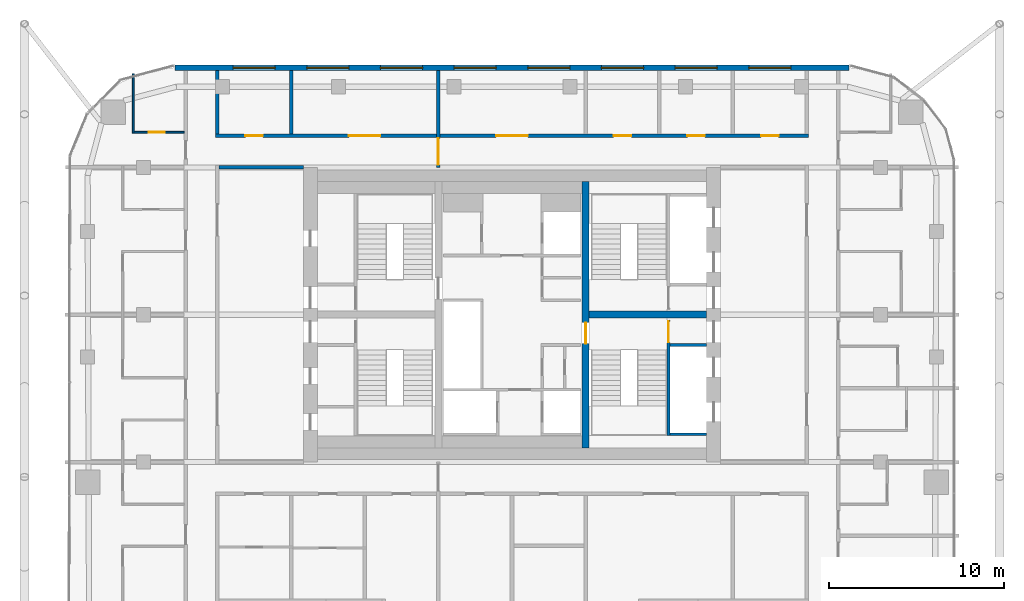
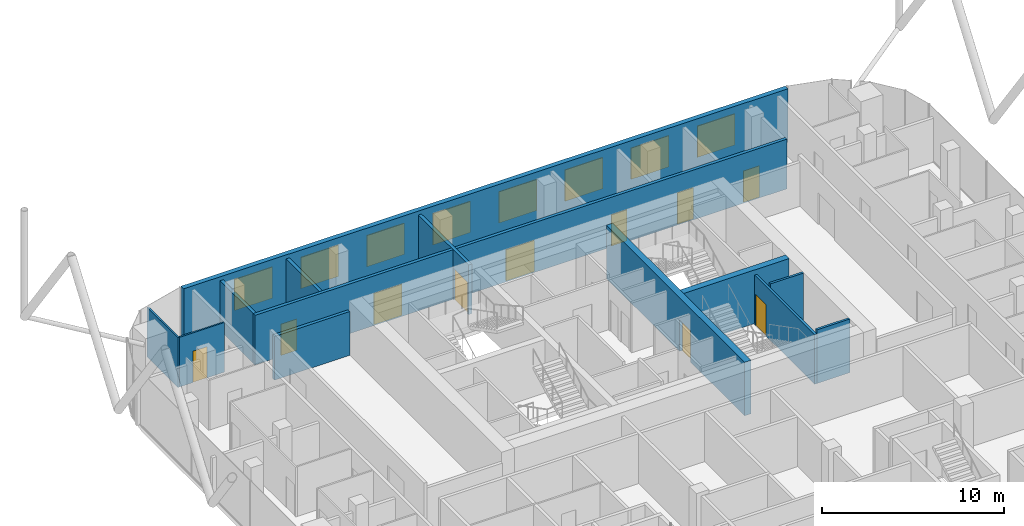
# One storey, part 25 of 28: 13 walls, 10 doors, 8 windows, 18 openings.
"""IFC4 building model written with IfcOpenShell, lengths in metres."""

from ifc_helpers import new_model, si_unit, direction, frame, frame_2d, origin, place, context, subcontext, project, spatial, rectangle, extrude, material, layer, layer_set, type_object, element, fill, save


model = new_model("IFC4")

# Units and contexts
model_context = context("Model", 3, precision=1e-05, world=origin(), true_north=direction((0.0, 1.0)))
body_context = subcontext(model_context, "Body", "Model", "MODEL_VIEW")
ifc_project = project(units=[si_unit("LENGTHUNIT", "METRE"), si_unit("AREAUNIT", "SQUARE_METRE"), si_unit("VOLUMEUNIT", "CUBIC_METRE"), si_unit("PLANEANGLEUNIT", "RADIAN"), si_unit("MASSUNIT", "GRAM", prefix="KILO")], contexts=[model_context])

# Site, building, storey
site_placement = place(None, origin())
site = spatial("IfcSite", under=ifc_project, at=site_placement, CompositionType="ELEMENT")
building_placement = place(site_placement, origin())
building = spatial("IfcBuilding", under=site, at=building_placement, Name="Marenta Gate Hotel Tower", CompositionType="ELEMENT")
storey_placement = place(building_placement, frame((0.0, 0.0, 241.699951171875)))
storey = spatial("IfcBuildingStorey", under=building, at=storey_placement, Name="L57", CompositionType="ELEMENT", Elevation=241.699951171875)

# Wall, openings, windows
ifc_material_1 = material(Name="Concrete C40 board-marked", Category="concrete")
ifc_layer_1 = layer(ifc_material_1, 0.300048828125)
ifc_layer_set_1 = layer_set([ifc_layer_1], Name="Concrete C40 board-marked")
wall_type_1 = type_object("IfcWallType", Name="Board-marked concrete wall 300 mm", PredefinedType="NOTDEFINED", material=ifc_layer_set_1)
wall_1_placement = place(storey_placement, frame((19.205810546875, 22.489990234375, 0.0), z_axis=(0.0, 0.0, 1.0), x_axis=(-1.0, 0.0, 0.0)))
wall_1 = element("IfcWall", 1, at=wall_1_placement, inside=storey, type_object=wall_type_1, Name="L57-CLD-N00", PredefinedType="NOTDEFINED", context=body_context, shape_type="SweptSolid", body=[
    extrude(rectangle(XDim=38.41162109375, YDim=0.300048828125, at=frame_2d((19.205810546875, 0.0))), origin(), (0.0, 0.0, 1.0), 3.60009765625),
])
opening_1_placement = place(wall_1_placement, frame((3.305908203125, 0.0, 0.89990234375)))
opening_1 = element("IfcOpeningElement", 2, at=opening_1_placement, cuts=wall_1, Name="Opening W1", PredefinedType="OPENING", context=body_context, shape_type="SweptSolid", body=[
    extrude(rectangle(XDim=2.39990234375, YDim=2.10009765625, at=frame_2d((1.199951171875, 1.050048828125))), frame((0.0, 0.14990234375, 0.0), z_axis=(0.0, -1.0, 0.0), x_axis=(1.0, 0.0, 0.0)), (0.0, 0.0, 1.0), 0.300048828125),
])
opening_2_placement = place(wall_1_placement, frame((7.505859375, 0.0, 0.89990234375)))
opening_2 = element("IfcOpeningElement", 3, at=opening_2_placement, cuts=wall_1, Name="Opening W1", PredefinedType="OPENING", context=body_context, shape_type="SweptSolid", body=[
    extrude(rectangle(XDim=2.39990234375, YDim=2.10009765625, at=frame_2d((1.199951171875, 1.050048828125))), frame((0.0, 0.14990234375, 0.0), z_axis=(0.0, -1.0, 0.0), x_axis=(1.0, 0.0, 0.0)), (0.0, 0.0, 1.0), 0.300048828125),
])
opening_3_placement = place(wall_1_placement, frame((11.705810546875, 0.0, 0.89990234375)))
opening_3 = element("IfcOpeningElement", 4, at=opening_3_placement, cuts=wall_1, Name="Opening W1", PredefinedType="OPENING", context=body_context, shape_type="SweptSolid", body=[
    extrude(rectangle(XDim=2.39990234375, YDim=2.10009765625, at=frame_2d((1.199951171875, 1.050048828125))), frame((0.0, 0.14990234375, 0.0), z_axis=(0.0, -1.0, 0.0), x_axis=(1.0, 0.0, 0.0)), (0.0, 0.0, 1.0), 0.300048828125),
])
opening_4_placement = place(wall_1_placement, frame((15.906005859375, 0.0, 0.89990234375)))
opening_4 = element("IfcOpeningElement", 5, at=opening_4_placement, cuts=wall_1, Name="Opening W1", PredefinedType="OPENING", context=body_context, shape_type="SweptSolid", body=[
    extrude(rectangle(XDim=2.39990234375, YDim=2.10009765625, at=frame_2d((1.199951171875, 1.050048828125))), frame((0.0, 0.14990234375, 0.0), z_axis=(0.0, -1.0, 0.0), x_axis=(1.0, 0.0, 0.0)), (0.0, 0.0, 1.0), 0.300048828125),
])
opening_5_placement = place(wall_1_placement, frame((20.10595703125, 0.0, 0.89990234375)))
opening_5 = element("IfcOpeningElement", 6, at=opening_5_placement, cuts=wall_1, Name="Opening W1", PredefinedType="OPENING", context=body_context, shape_type="SweptSolid", body=[
    extrude(rectangle(XDim=2.39990234375, YDim=2.10009765625, at=frame_2d((1.199951171875, 1.050048828125))), frame((0.0, 0.14990234375, 0.0), z_axis=(0.0, -1.0, 0.0), x_axis=(1.0, 0.0, 0.0)), (0.0, 0.0, 1.0), 0.300048828125),
])
opening_6_placement = place(wall_1_placement, frame((24.305908203125, 0.0, 0.89990234375)))
opening_6 = element("IfcOpeningElement", 7, at=opening_6_placement, cuts=wall_1, Name="Opening W1", PredefinedType="OPENING", context=body_context, shape_type="SweptSolid", body=[
    extrude(rectangle(XDim=2.39990234375, YDim=2.10009765625, at=frame_2d((1.199951171875, 1.050048828125))), frame((0.0, 0.14990234375, 0.0), z_axis=(0.0, -1.0, 0.0), x_axis=(1.0, 0.0, 0.0)), (0.0, 0.0, 1.0), 0.300048828125),
])
opening_7_placement = place(wall_1_placement, frame((28.505859375, 0.0, 0.89990234375)))
opening_7 = element("IfcOpeningElement", 8, at=opening_7_placement, cuts=wall_1, Name="Opening W1", PredefinedType="OPENING", context=body_context, shape_type="SweptSolid", body=[
    extrude(rectangle(XDim=2.39990234375, YDim=2.10009765625, at=frame_2d((1.199951171875, 1.050048828125))), frame((0.0, 0.14990234375, 0.0), z_axis=(0.0, -1.0, 0.0), x_axis=(1.0, 0.0, 0.0)), (0.0, 0.0, 1.0), 0.300048828125),
])
opening_8_placement = place(wall_1_placement, frame((32.705810546875, 0.0, 0.89990234375)))
opening_8 = element("IfcOpeningElement", 9, at=opening_8_placement, cuts=wall_1, Name="Opening W1", PredefinedType="OPENING", context=body_context, shape_type="SweptSolid", body=[
    extrude(rectangle(XDim=2.39990234375, YDim=2.10009765625, at=frame_2d((1.199951171875, 1.050048828125))), frame((0.0, 0.14990234375, 0.0), z_axis=(0.0, -1.0, 0.0), x_axis=(1.0, 0.0, 0.0)), (0.0, 0.0, 1.0), 0.300048828125),
])
ifc_material_2 = material(Name="Tinted insulated glass in bronze anodised frame", Category="glass")
window_type = type_object("IfcWindowType", Name="Window W1 2400x2100 bronze frame", PartitioningType="SINGLE_PANEL", PredefinedType="WINDOW", material=ifc_material_2)
window_1_placement = place(opening_1_placement, origin())
window_1 = element("IfcWindow", 10, at=window_1_placement, inside=storey, type_object=window_type, Name="Window W1", OverallHeight=2.10009765625, OverallWidth=2.39990234375, PartitioningType="SINGLE_PANEL", PredefinedType="WINDOW", context=body_context, shape_type="SweptSolid", body=[
    extrude(rectangle(XDim=2.39990234375, YDim=2.10009765625, at=frame_2d((1.199951171875, 1.050048828125))), frame((0.0, 0.030029296875, 0.0), z_axis=(0.0, -1.0, 0.0), x_axis=(1.0, 0.0, 0.0)), (0.0, 0.0, 1.0), 0.06005859375),
])
fill(opening_1, window_1)
window_2_placement = place(opening_2_placement, origin())
window_2 = element("IfcWindow", 11, at=window_2_placement, inside=storey, type_object=window_type, Name="Window W1", OverallHeight=2.10009765625, OverallWidth=2.39990234375, PartitioningType="SINGLE_PANEL", PredefinedType="WINDOW", context=body_context, shape_type="SweptSolid", body=[
    extrude(rectangle(XDim=2.39990234375, YDim=2.10009765625, at=frame_2d((1.199951171875, 1.050048828125))), frame((0.0, 0.030029296875, 0.0), z_axis=(0.0, -1.0, 0.0), x_axis=(1.0, 0.0, 0.0)), (0.0, 0.0, 1.0), 0.06005859375),
])
fill(opening_2, window_2)
window_3_placement = place(opening_3_placement, origin())
window_3 = element("IfcWindow", 12, at=window_3_placement, inside=storey, type_object=window_type, Name="Window W1", OverallHeight=2.10009765625, OverallWidth=2.39990234375, PartitioningType="SINGLE_PANEL", PredefinedType="WINDOW", context=body_context, shape_type="SweptSolid", body=[
    extrude(rectangle(XDim=2.39990234375, YDim=2.10009765625, at=frame_2d((1.199951171875, 1.050048828125))), frame((0.0, 0.030029296875, 0.0), z_axis=(0.0, -1.0, 0.0), x_axis=(1.0, 0.0, 0.0)), (0.0, 0.0, 1.0), 0.06005859375),
])
fill(opening_3, window_3)
window_4_placement = place(opening_4_placement, origin())
window_4 = element("IfcWindow", 13, at=window_4_placement, inside=storey, type_object=window_type, Name="Window W1", OverallHeight=2.10009765625, OverallWidth=2.39990234375, PartitioningType="SINGLE_PANEL", PredefinedType="WINDOW", context=body_context, shape_type="SweptSolid", body=[
    extrude(rectangle(XDim=2.39990234375, YDim=2.10009765625, at=frame_2d((1.199951171875, 1.050048828125))), frame((0.0, 0.030029296875, 0.0), z_axis=(0.0, -1.0, 0.0), x_axis=(1.0, 0.0, 0.0)), (0.0, 0.0, 1.0), 0.06005859375),
])
fill(opening_4, window_4)
window_5_placement = place(opening_5_placement, origin())
window_5 = element("IfcWindow", 14, at=window_5_placement, inside=storey, type_object=window_type, Name="Window W1", OverallHeight=2.10009765625, OverallWidth=2.39990234375, PartitioningType="SINGLE_PANEL", PredefinedType="WINDOW", context=body_context, shape_type="SweptSolid", body=[
    extrude(rectangle(XDim=2.39990234375, YDim=2.10009765625, at=frame_2d((1.199951171875, 1.050048828125))), frame((0.0, 0.030029296875, 0.0), z_axis=(0.0, -1.0, 0.0), x_axis=(1.0, 0.0, 0.0)), (0.0, 0.0, 1.0), 0.06005859375),
])
fill(opening_5, window_5)
window_6_placement = place(opening_6_placement, origin())
window_6 = element("IfcWindow", 15, at=window_6_placement, inside=storey, type_object=window_type, Name="Window W1", OverallHeight=2.10009765625, OverallWidth=2.39990234375, PartitioningType="SINGLE_PANEL", PredefinedType="WINDOW", context=body_context, shape_type="SweptSolid", body=[
    extrude(rectangle(XDim=2.39990234375, YDim=2.10009765625, at=frame_2d((1.199951171875, 1.050048828125))), frame((0.0, 0.030029296875, 0.0), z_axis=(0.0, -1.0, 0.0), x_axis=(1.0, 0.0, 0.0)), (0.0, 0.0, 1.0), 0.06005859375),
])
fill(opening_6, window_6)
window_7_placement = place(opening_7_placement, origin())
window_7 = element("IfcWindow", 16, at=window_7_placement, inside=storey, type_object=window_type, Name="Window W1", OverallHeight=2.10009765625, OverallWidth=2.39990234375, PartitioningType="SINGLE_PANEL", PredefinedType="WINDOW", context=body_context, shape_type="SweptSolid", body=[
    extrude(rectangle(XDim=2.39990234375, YDim=2.10009765625, at=frame_2d((1.199951171875, 1.050048828125))), frame((0.0, 0.030029296875, 0.0), z_axis=(0.0, -1.0, 0.0), x_axis=(1.0, 0.0, 0.0)), (0.0, 0.0, 1.0), 0.06005859375),
])
fill(opening_7, window_7)
window_8_placement = place(opening_8_placement, origin())
window_8 = element("IfcWindow", 17, at=window_8_placement, inside=storey, type_object=window_type, Name="Window W1", OverallHeight=2.10009765625, OverallWidth=2.39990234375, PartitioningType="SINGLE_PANEL", PredefinedType="WINDOW", context=body_context, shape_type="SweptSolid", body=[
    extrude(rectangle(XDim=2.39990234375, YDim=2.10009765625, at=frame_2d((1.199951171875, 1.050048828125))), frame((0.0, 0.030029296875, 0.0), z_axis=(0.0, -1.0, 0.0), x_axis=(1.0, 0.0, 0.0)), (0.0, 0.0, 1.0), 0.06005859375),
])
fill(opening_8, window_8)

# Wall, opening, door
ifc_material_3 = material(Name="Concrete blockwork", Category="masonry")
ifc_layer_2 = layer(ifc_material_3, 0.199951171875)
ifc_layer_set_2 = layer_set([ifc_layer_2], Name="Concrete blockwork")
wall_type_2 = type_object("IfcWallType", Name="Compartment wall 200 REI 180", PredefinedType="PARTITIONING", material=ifc_layer_set_2)
wall_2_placement = place(storey_placement, frame((-4.199951171875, 16.800048828125, 0.0), z_axis=(0.0, 0.0, 1.0), x_axis=(0.0, 1.0, 0.0)))
wall_2 = element("IfcWall", 18, at=wall_2_placement, inside=storey, type_object=wall_type_2, Name="L57-PTN-W072", PredefinedType="PARTITIONING", context=body_context, shape_type="SweptSolid", body=[
    extrude(rectangle(XDim=5.5400390625, YDim=0.199951171875, at=frame_2d((2.77001953125, 0.0))), origin(), (0.0, 0.0, 1.0), 3.340087890625),
])
opening_9_placement = place(wall_2_placement, frame((0.14990234375, 0.0, 0.0)))
opening_9 = element("IfcOpeningElement", 19, at=opening_9_placement, cuts=wall_2, Name="Opening G21-FD1", PredefinedType="OPENING", context=body_context, shape_type="SweptSolid", body=[
    extrude(rectangle(XDim=1.5, YDim=2.10009765625, at=frame_2d((0.75, 1.050048828125))), frame((0.0, 0.10009765625, 0.0), z_axis=(0.0, -1.0, 0.0), x_axis=(1.0, 0.0, 0.0)), (0.0, 0.0, 1.0), 0.199951171875),
])
ifc_material_4 = material(Name="Hollow steel door set", Category="steel")
door_type_1 = type_object("IfcDoorType", Name="Compartment fire door 1500x2100 EI 60", OperationType="DOUBLE_DOOR_DOUBLE_SWING", PredefinedType="DOOR", material=ifc_material_4)
door_1_placement = place(opening_9_placement, origin())
door_1 = element("IfcDoor", 20, at=door_1_placement, inside=storey, type_object=door_type_1, Name="L57-PD-FD01", OperationType="DOUBLE_DOOR_DOUBLE_SWING", OverallHeight=2.10009765625, OverallWidth=1.5, PredefinedType="DOOR", context=body_context, shape_type="SweptSolid", body=[
    extrude(rectangle(XDim=1.5, YDim=2.10009765625, at=frame_2d((0.75, 1.050048828125))), frame((0.0, 0.02490234375, 0.0), z_axis=(0.0, -1.0, 0.0), x_axis=(1.0, 0.0, 0.0)), (0.0, 0.0, 1.0), 0.050048828125),
])
fill(opening_9, door_1)

# Walls
ifc_material_5 = material(Name="Concrete blockwork", Category="masonry")
ifc_layer_3 = layer(ifc_material_5, 0.199951171875)
ifc_layer_set_3 = layer_set([ifc_layer_3], Name="Concrete blockwork")
wall_type_3 = type_object("IfcWallType", Name="Core boundary wall 200 REI 180", PredefinedType="PARTITIONING", material=ifc_layer_set_3)
wall_3_placement = place(storey_placement, frame((-16.699951171875, 16.800048828125, 0.0), z_axis=(0.0, 0.0, 1.0), x_axis=(1.0, 0.0, 0.0)))
element("IfcWall", 21, at=wall_3_placement, inside=storey, type_object=wall_type_3, Name="L57-CP-EW-WN", PredefinedType="PARTITIONING", context=body_context, shape_type="SweptSolid", body=[
    extrude(rectangle(XDim=4.800048828125, YDim=0.199951171875, at=frame_2d((2.39990234375, 0.0))), origin(), (0.0, 0.0, 1.0), 2.93994140625),
])
ifc_material_6 = material(Name="Concrete C40", Category="concrete")
ifc_layer_4 = layer(ifc_material_6, 0.14990234375)
ifc_layer_set_4 = layer_set([ifc_layer_4], Name="Concrete C40")
wall_type_4 = type_object("IfcWallType", Name="Core shaft wall 150 REI 180", PredefinedType="SHEAR", material=ifc_layer_set_4)
for number, where, z_axis, x_axis, name in (
    (22, (9.0, 6.675048828125, 0.0), (0.0, 0.0, 1.0), (1.0, 0.0, 0.0), "L57-SHF-SW-ES-2"),
    (23, (9.0, 1.574951171875, 0.0), (0.0, 0.0, 1.0), (1.0, 0.0, 0.0), "L57-SHF-SW-ES-5"),
):
    element("IfcWall", number, at=place(storey_placement, frame(where, z_axis=z_axis, x_axis=x_axis)), inside=storey, type_object=wall_type_4, Name=name, PredefinedType="SHEAR", context=body_context, shape_type="SweptSolid", body=[
        extrude(rectangle(XDim=2.10009765625, YDim=0.14990234375, at=frame_2d((1.050048828125, 0.0))), origin(), (0.0, 0.0, 1.0), 3.60009765625),
    ])

# Wall, opening, door
ifc_material_7 = material(Name="Concrete C40", Category="concrete")
ifc_layer_5 = layer(ifc_material_7, 0.14990234375)
ifc_layer_set_5 = layer_set([ifc_layer_5], Name="Concrete C40")
wall_type_5 = type_object("IfcWallType", Name="Core stair enclosure wall 150 REI 180", PredefinedType="SHEAR", material=ifc_layer_set_5)
wall_4_placement = place(storey_placement, frame((8.925048828125, 1.5, 0.0), z_axis=(0.0, 0.0, 1.0), x_axis=(0.0, 1.0, 0.0)))
wall_4 = element("IfcWall", 24, at=wall_4_placement, inside=storey, type_object=wall_type_5, Name="L57-SHF-SW-ES-3", PredefinedType="SHEAR", context=body_context, shape_type="SweptSolid", body=[
    extrude(rectangle(XDim=6.60009765625, YDim=0.14990234375, at=frame_2d((3.300048828125, 0.0))), origin(), (0.0, 0.0, 1.0), 3.340087890625),
])
opening_10_placement = place(wall_4_placement, frame((5.324951171875, 0.0, 0.0)))
opening_10 = element("IfcOpeningElement", 25, at=opening_10_placement, cuts=wall_4, Name="Opening SD-ES", PredefinedType="OPENING", context=body_context, shape_type="SweptSolid", body=[
    extrude(rectangle(XDim=1.199951171875, YDim=2.10009765625, at=frame_2d((0.60009765625, 1.050048828125))), frame((0.0, 0.074951171875, 0.0), z_axis=(0.0, -1.0, 0.0), x_axis=(1.0, 0.0, 0.0)), (0.0, 0.0, 1.0), 0.14990234375),
])
ifc_material_8 = material(Name="Steel", Category="steel")
door_type_2 = type_object("IfcDoorType", Name="Core stair door 1200x2100 FD60", OperationType="SINGLE_SWING_LEFT", PredefinedType="DOOR", material=ifc_material_8)
door_2_placement = place(opening_10_placement, origin())
door_2 = element("IfcDoor", 26, at=door_2_placement, inside=storey, type_object=door_type_2, Name="SD-ES", OperationType="SINGLE_SWING_LEFT", OverallHeight=2.10009765625, OverallWidth=1.199951171875, PredefinedType="DOOR", context=body_context, shape_type="SweptSolid", body=[
    extrude(rectangle(XDim=1.199951171875, YDim=2.10009765625, at=frame_2d((0.60009765625, 1.050048828125))), frame((0.0, 0.02490234375, 0.0), z_axis=(0.0, -1.0, 0.0), x_axis=(1.0, 0.0, 0.0)), (0.0, 0.0, 1.0), 0.050048828125),
])
fill(opening_10, door_2)

ifc_material_9 = material(Name="Concrete C60", Category="concrete")
ifc_layer_6 = layer(ifc_material_9, 0.39990234375)
ifc_layer_set_6 = layer_set([ifc_layer_6], Name="Concrete C60")
wall_type_6 = type_object("IfcWallType", Name="Core web 400 C60", PredefinedType="SHEAR", material=ifc_layer_set_6)
wall_5_placement = place(storey_placement, frame((4.199951171875, 0.800048828125, 0.0), z_axis=(0.0, 0.0, 1.0), x_axis=(0.0, 1.0, 0.0)))
wall_5 = element("IfcWall", 27, at=wall_5_placement, inside=storey, type_object=wall_type_6, Name="L57-CORE-W2", PredefinedType="SHEAR", context=body_context, shape_type="SweptSolid", body=[
    extrude(rectangle(XDim=15.199951171875, YDim=0.39990234375, at=frame_2d((7.60009765625, 0.0))), origin(), (0.0, 0.0, 1.0), 3.60009765625),
])
opening_11_placement = place(wall_5_placement, frame((5.949951171875, 0.0, 0.0)))
opening_11 = element("IfcOpeningElement", 28, at=opening_11_placement, cuts=wall_5, Name="Opening WD-E", PredefinedType="OPENING", context=body_context, shape_type="SweptSolid", body=[
    extrude(rectangle(XDim=1.199951171875, YDim=2.10009765625, at=frame_2d((0.60009765625, 1.050048828125))), frame((0.0, 0.199951171875, 0.0), z_axis=(0.0, -1.0, 0.0), x_axis=(1.0, 0.0, 0.0)), (0.0, 0.0, 1.0), 0.39990234375),
])
door_3_placement = place(opening_11_placement, origin())
door_3 = element("IfcDoor", 29, at=door_3_placement, inside=storey, type_object=door_type_2, Name="WD-E", OperationType="SINGLE_SWING_LEFT", OverallHeight=2.10009765625, OverallWidth=1.199951171875, PredefinedType="DOOR", context=body_context, shape_type="SweptSolid", body=[
    extrude(rectangle(XDim=1.199951171875, YDim=2.10009765625, at=frame_2d((0.60009765625, 1.050048828125))), frame((0.0, 0.02490234375, 0.0), z_axis=(0.0, -1.0, 0.0), x_axis=(1.0, 0.0, 0.0)), (0.0, 0.0, 1.0), 0.050048828125),
])
fill(opening_11, door_3)

# Walls
wall_6_placement = place(storey_placement, frame((4.39990234375, 8.39990234375, 0.0), z_axis=(0.0, 0.0, 1.0), x_axis=(1.0, 0.0, 0.0)))
element("IfcWall", 30, at=wall_6_placement, inside=storey, type_object=wall_type_6, Name="L57-CORE-W4", PredefinedType="SHEAR", context=body_context, shape_type="SweptSolid", body=[
    extrude(rectangle(XDim=6.7001953125, YDim=0.39990234375, at=frame_2d((3.35009765625, 0.0))), origin(), (0.0, 0.0, 1.0), 3.60009765625),
])
ifc_material_10 = material(Name="Gypsum board on steel stud", Category="steel")
ifc_layer_7 = layer(ifc_material_10, 0.199951171875)
ifc_layer_set_7 = layer_set([ifc_layer_7], Name="Gypsum board on steel stud")
wall_type_7 = type_object("IfcWallType", Name="Room corridor wall 200 EI 60", PredefinedType="PARTITIONING", material=ifc_layer_set_7)
wall_7_placement = place(storey_placement, frame((-16.800048828125, 18.699951171875, 0.0), z_axis=(0.0, 0.0, 1.0), x_axis=(0.0, 1.0, 0.0)))
element("IfcWall", 31, at=wall_7_placement, inside=storey, type_object=wall_type_7, Name="L57-PTN-W098", PredefinedType="PARTITIONING", context=body_context, shape_type="SweptSolid", body=[
    extrude(rectangle(XDim=3.64013671875, YDim=0.199951171875, at=frame_2d((1.820068359375, 0.0))), origin(), (0.0, 0.0, 1.0), 3.340087890625),
])

# Wall, openings, doors
wall_8_placement = place(storey_placement, frame((-16.89990234375, 18.60009765625, 0.0), z_axis=(0.0, 0.0, 1.0), x_axis=(1.0, 0.0, 0.0)))
wall_8 = element("IfcWall", 32, at=wall_8_placement, inside=storey, type_object=wall_type_7, Name="L57-PTN-W102", PredefinedType="PARTITIONING", context=body_context, shape_type="SweptSolid", body=[
    extrude(rectangle(XDim=33.7998046875, YDim=0.199951171875, at=frame_2d((16.89990234375, 0.0))), origin(), (0.0, 0.0, 1.0), 3.340087890625),
])
opening_12_placement = place(wall_8_placement, frame((1.699951171875, 0.0, 0.0)))
opening_12 = element("IfcOpeningElement", 33, at=opening_12_placement, cuts=wall_8, Name="Opening G21-29", PredefinedType="OPENING", context=body_context, shape_type="SweptSolid", body=[
    extrude(rectangle(XDim=1.0, YDim=2.10009765625, at=frame_2d((0.5, 1.050048828125))), frame((0.0, 0.10009765625, 0.0), z_axis=(0.0, -1.0, 0.0), x_axis=(1.0, 0.0, 0.0)), (0.0, 0.0, 1.0), 0.199951171875),
])
opening_13_placement = place(wall_8_placement, frame((7.60009765625, 0.0, 0.0)))
opening_13 = element("IfcOpeningElement", 34, at=opening_13_placement, cuts=wall_8, Name="Opening G21-30", PredefinedType="OPENING", context=body_context, shape_type="SweptSolid", body=[
    extrude(rectangle(XDim=1.800048828125, YDim=2.10009765625, at=frame_2d((0.89990234375, 1.050048828125))), frame((0.0, 0.10009765625, 0.0), z_axis=(0.0, -1.0, 0.0), x_axis=(1.0, 0.0, 0.0)), (0.0, 0.0, 1.0), 0.199951171875),
])
opening_14_placement = place(wall_8_placement, frame((16.0, 0.0, 0.0)))
opening_14 = element("IfcOpeningElement", 35, at=opening_14_placement, cuts=wall_8, Name="Opening G21-31", PredefinedType="OPENING", context=body_context, shape_type="SweptSolid", body=[
    extrude(rectangle(XDim=1.800048828125, YDim=2.10009765625, at=frame_2d((0.89990234375, 1.050048828125))), frame((0.0, 0.10009765625, 0.0), z_axis=(0.0, -1.0, 0.0), x_axis=(1.0, 0.0, 0.0)), (0.0, 0.0, 1.0), 0.199951171875),
])
opening_15_placement = place(wall_8_placement, frame((31.10009765625, 0.0, 0.0)))
opening_15 = element("IfcOpeningElement", 36, at=opening_15_placement, cuts=wall_8, Name="Opening G21-32", PredefinedType="OPENING", context=body_context, shape_type="SweptSolid", body=[
    extrude(rectangle(XDim=1.0, YDim=2.10009765625, at=frame_2d((0.5, 1.050048828125))), frame((0.0, 0.10009765625, 0.0), z_axis=(0.0, -1.0, 0.0), x_axis=(1.0, 0.0, 0.0)), (0.0, 0.0, 1.0), 0.199951171875),
])
opening_16_placement = place(wall_8_placement, frame((22.699951171875, 0.0, 0.0)))
opening_16 = element("IfcOpeningElement", 37, at=opening_16_placement, cuts=wall_8, Name="Opening G21-65", PredefinedType="OPENING", context=body_context, shape_type="SweptSolid", body=[
    extrude(rectangle(XDim=1.0, YDim=2.10009765625, at=frame_2d((0.5, 1.050048828125))), frame((0.0, 0.10009765625, 0.0), z_axis=(0.0, -1.0, 0.0), x_axis=(1.0, 0.0, 0.0)), (0.0, 0.0, 1.0), 0.199951171875),
])
opening_17_placement = place(wall_8_placement, frame((26.89990234375, 0.0, 0.0)))
opening_17 = element("IfcOpeningElement", 38, at=opening_17_placement, cuts=wall_8, Name="Opening G21-66", PredefinedType="OPENING", context=body_context, shape_type="SweptSolid", body=[
    extrude(rectangle(XDim=1.0, YDim=2.10009765625, at=frame_2d((0.5, 1.050048828125))), frame((0.0, 0.10009765625, 0.0), z_axis=(0.0, -1.0, 0.0), x_axis=(1.0, 0.0, 0.0)), (0.0, 0.0, 1.0), 0.199951171875),
])
ifc_material_11 = material(Name="Timber door leaf", Category="wood")
door_type_3 = type_object("IfcDoorType", Name="Room amenity door 1000x2100 EI 30", OperationType="NOTDEFINED", PredefinedType="DOOR", material=ifc_material_11)
door_4_placement = place(opening_12_placement, origin())
door_4 = element("IfcDoor", 39, at=door_4_placement, inside=storey, type_object=door_type_3, Name="L57-PD-D029", OperationType="SINGLE_SWING_LEFT", OverallHeight=2.10009765625, OverallWidth=1.0, PredefinedType="DOOR", context=body_context, shape_type="SweptSolid", body=[
    extrude(rectangle(XDim=1.0, YDim=2.10009765625, at=frame_2d((0.5, 1.050048828125))), frame((0.0, 0.02490234375, 0.0), z_axis=(0.0, -1.0, 0.0), x_axis=(1.0, 0.0, 0.0)), (0.0, 0.0, 1.0), 0.050048828125),
])
fill(opening_12, door_4)
door_5_placement = place(opening_15_placement, origin())
door_5 = element("IfcDoor", 40, at=door_5_placement, inside=storey, type_object=door_type_3, Name="L57-PD-D032", OperationType="SINGLE_SWING_RIGHT", OverallHeight=2.10009765625, OverallWidth=1.0, PredefinedType="DOOR", context=body_context, shape_type="SweptSolid", body=[
    extrude(rectangle(XDim=1.0, YDim=2.10009765625, at=frame_2d((0.5, 1.050048828125))), frame((0.0, 0.02490234375, 0.0), z_axis=(0.0, -1.0, 0.0), x_axis=(1.0, 0.0, 0.0)), (0.0, 0.0, 1.0), 0.050048828125),
])
fill(opening_15, door_5)
door_6_placement = place(opening_16_placement, origin())
door_6 = element("IfcDoor", 41, at=door_6_placement, inside=storey, type_object=door_type_3, Name="L57-PD-D065", OperationType="SINGLE_SWING_LEFT", OverallHeight=2.10009765625, OverallWidth=1.0, PredefinedType="DOOR", context=body_context, shape_type="SweptSolid", body=[
    extrude(rectangle(XDim=1.0, YDim=2.10009765625, at=frame_2d((0.5, 1.050048828125))), frame((0.0, 0.02490234375, 0.0), z_axis=(0.0, -1.0, 0.0), x_axis=(1.0, 0.0, 0.0)), (0.0, 0.0, 1.0), 0.050048828125),
])
fill(opening_16, door_6)
door_7_placement = place(opening_17_placement, origin())
door_7 = element("IfcDoor", 42, at=door_7_placement, inside=storey, type_object=door_type_3, Name="L57-PD-D066", OperationType="SINGLE_SWING_RIGHT", OverallHeight=2.10009765625, OverallWidth=1.0, PredefinedType="DOOR", context=body_context, shape_type="SweptSolid", body=[
    extrude(rectangle(XDim=1.0, YDim=2.10009765625, at=frame_2d((0.5, 1.050048828125))), frame((0.0, 0.02490234375, 0.0), z_axis=(0.0, -1.0, 0.0), x_axis=(1.0, 0.0, 0.0)), (0.0, 0.0, 1.0), 0.050048828125),
])
fill(opening_17, door_7)
ifc_material_12 = material(Name="Timber door leaf", Category="wood")
door_type_4 = type_object("IfcDoorType", Name="Room amenity door 1800x2100 EI 30", OperationType="DOUBLE_DOOR_SINGLE_SWING", PredefinedType="DOOR", material=ifc_material_12)
door_8_placement = place(opening_13_placement, origin())
door_8 = element("IfcDoor", 43, at=door_8_placement, inside=storey, type_object=door_type_4, Name="L57-PD-D030", OperationType="DOUBLE_DOOR_SINGLE_SWING", OverallHeight=2.10009765625, OverallWidth=1.800048828125, PredefinedType="DOOR", context=body_context, shape_type="SweptSolid", body=[
    extrude(rectangle(XDim=1.800048828125, YDim=2.10009765625, at=frame_2d((0.89990234375, 1.050048828125))), frame((0.0, 0.02490234375, 0.0), z_axis=(0.0, -1.0, 0.0), x_axis=(1.0, 0.0, 0.0)), (0.0, 0.0, 1.0), 0.050048828125),
])
fill(opening_13, door_8)
door_9_placement = place(opening_14_placement, origin())
door_9 = element("IfcDoor", 44, at=door_9_placement, inside=storey, type_object=door_type_4, Name="L57-PD-D031", OperationType="DOUBLE_DOOR_SINGLE_SWING", OverallHeight=2.10009765625, OverallWidth=1.800048828125, PredefinedType="DOOR", context=body_context, shape_type="SweptSolid", body=[
    extrude(rectangle(XDim=1.800048828125, YDim=2.10009765625, at=frame_2d((0.89990234375, 1.050048828125))), frame((0.0, 0.02490234375, 0.0), z_axis=(0.0, -1.0, 0.0), x_axis=(1.0, 0.0, 0.0)), (0.0, 0.0, 1.0), 0.050048828125),
])
fill(opening_14, door_9)

# Wall, opening, door
ifc_material_13 = material(Name="Gypsum board on steel stud", Category="steel")
ifc_layer_8 = layer(ifc_material_13, 0.10009765625)
ifc_layer_set_8 = layer_set([ifc_layer_8], Name="Gypsum board on steel stud")
wall_type_8 = type_object("IfcWallType", Name="Room partition 100", PredefinedType="PARTITIONING", material=ifc_layer_set_8)
wall_9_placement = place(storey_placement, frame((-21.550048828125, 18.800048828125, 0.0), z_axis=(0.0, 0.0, 1.0), x_axis=(1.0, 0.0, 0.0)))
wall_9 = element("IfcWall", 45, at=wall_9_placement, inside=storey, type_object=wall_type_8, Name="L57-PTN-W103", PredefinedType="PARTITIONING", context=body_context, shape_type="SweptSolid", body=[
    extrude(rectangle(XDim=2.85009765625, YDim=0.10009765625, at=frame_2d((1.425048828125, 0.0))), origin(), (0.0, 0.0, 1.0), 3.340087890625),
])
opening_18_placement = place(wall_9_placement, frame((0.85009765625, 0.0, 0.0)))
opening_18 = element("IfcOpeningElement", 46, at=opening_18_placement, cuts=wall_9, Name="Opening G21-60", PredefinedType="OPENING", context=body_context, shape_type="SweptSolid", body=[
    extrude(rectangle(XDim=0.89990234375, YDim=2.10009765625, at=frame_2d((0.449951171875, 1.050048828125))), frame((0.0, 0.050048828125, 0.0), z_axis=(0.0, -1.0, 0.0), x_axis=(1.0, 0.0, 0.0)), (0.0, 0.0, 1.0), 0.10009765625),
])
ifc_material_14 = material(Name="Timber door leaf", Category="wood")
door_type_5 = type_object("IfcDoorType", Name="Guest bathroom door 900x2100", OperationType="NOTDEFINED", PredefinedType="DOOR", material=ifc_material_14)
door_10_placement = place(opening_18_placement, origin())
door_10 = element("IfcDoor", 47, at=door_10_placement, inside=storey, type_object=door_type_5, Name="L57-PD-D060", OperationType="SINGLE_SWING_LEFT", OverallHeight=2.10009765625, OverallWidth=0.89990234375, PredefinedType="DOOR", context=body_context, shape_type="SweptSolid", body=[
    extrude(rectangle(XDim=0.89990234375, YDim=2.10009765625, at=frame_2d((0.449951171875, 1.050048828125))), frame((0.0, 0.02490234375, 0.0), z_axis=(0.0, -1.0, 0.0), x_axis=(1.0, 0.0, 0.0)), (0.0, 0.0, 1.0), 0.050048828125),
])
fill(opening_18, door_10)

# Walls
wall_10_placement = place(storey_placement, frame((-21.60009765625, 18.75, 0.0), z_axis=(0.0, 0.0, 1.0), x_axis=(0.0, 1.0, 0.0)))
element("IfcWall", 48, at=wall_10_placement, inside=storey, type_object=wall_type_8, Name="L57-PTN-W105", PredefinedType="PARTITIONING", context=body_context, shape_type="SweptSolid", body=[
    extrude(rectangle(XDim=3.39501953125, YDim=0.10009765625, at=frame_2d((1.697509765625, 0.0))), origin(), (0.0, 0.0, 1.0), 3.340087890625),
])
ifc_material_15 = material(Name="Gypsum board on steel stud", Category="steel")
ifc_layer_9 = layer(ifc_material_15, 0.199951171875)
ifc_layer_set_9 = layer_set([ifc_layer_9], Name="Gypsum board on steel stud")
wall_type_9 = type_object("IfcWallType", Name="Room party wall 200 EI 60", PredefinedType="PARTITIONING", material=ifc_layer_set_9)
wall_11_placement = place(storey_placement, frame((-12.60009765625, 18.699951171875, 0.0), z_axis=(0.0, 0.0, 1.0), x_axis=(0.0, 1.0, 0.0)))
element("IfcWall", 49, at=wall_11_placement, inside=storey, type_object=wall_type_9, Name="L57-PTN-W090", PredefinedType="PARTITIONING", context=body_context, shape_type="SweptSolid", body=[
    extrude(rectangle(XDim=3.64013671875, YDim=0.199951171875, at=frame_2d((1.820068359375, 0.0))), origin(), (0.0, 0.0, 1.0), 3.340087890625),
])

save(model, "model.ifc")
